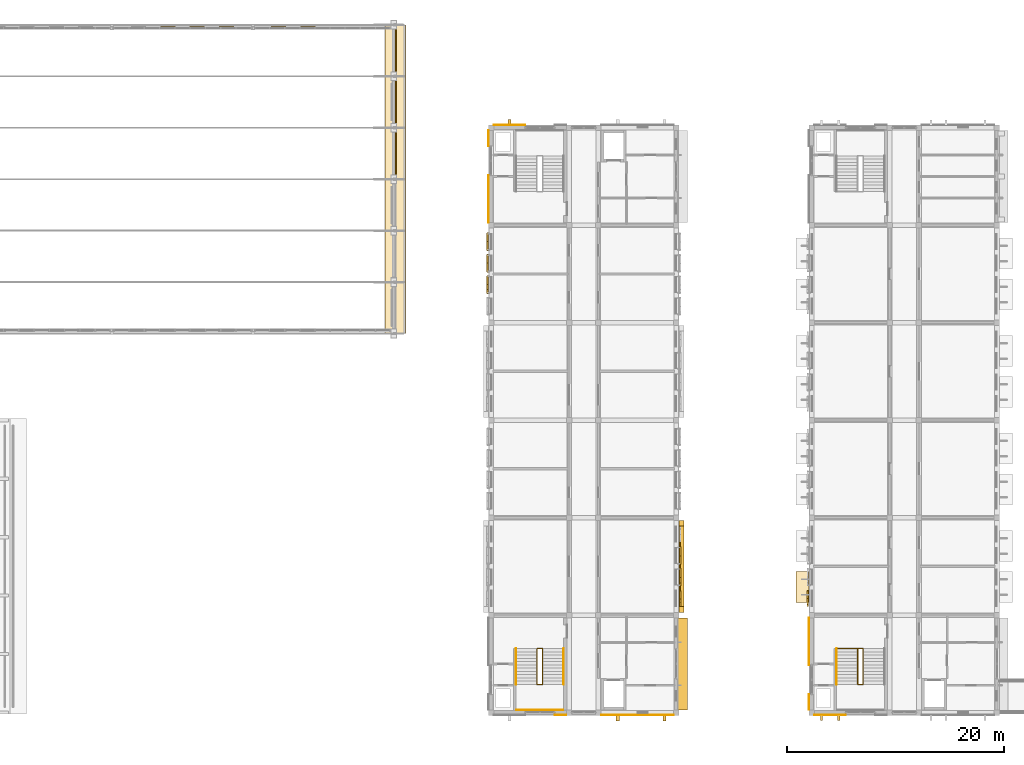
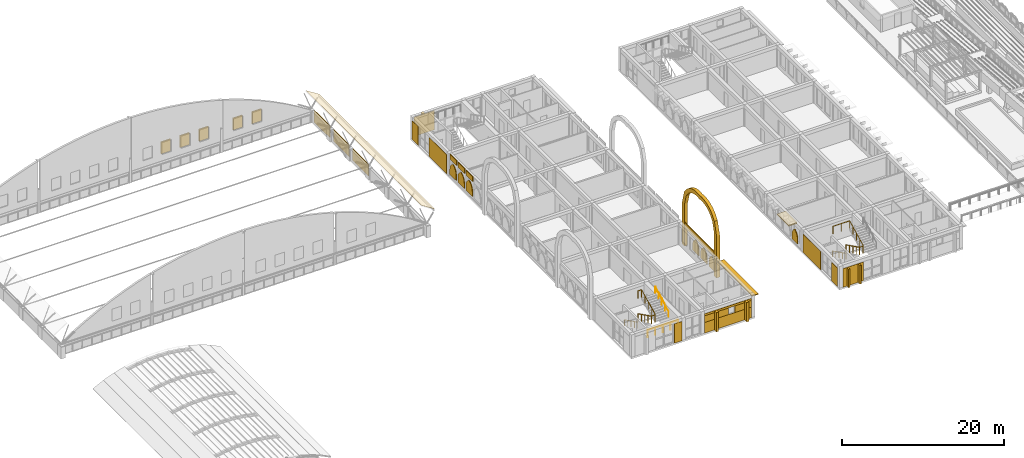
# One storey, part 56 of 65: 26 coverings, 13 shading devices, 6 railings.
"""IFC4 building model written with IfcOpenShell, lengths in metres."""

from ifc_helpers import new_model, si_unit, direction, frame, origin, origin_2d, place, context, subcontext, project, spatial, polyline, rectangle, circle, outline, extrude, material, layer, layer_set, type_object, element, save


model = new_model("IFC4")

# Units and contexts
model_context = context("Model", 3, precision=1e-05, world=origin(), true_north=direction((0.0, 1.0)))
body_context = subcontext(model_context, "Body", "Model", "MODEL_VIEW")
ifc_project = project(units=[si_unit("LENGTHUNIT", "METRE"), si_unit("AREAUNIT", "SQUARE_METRE"), si_unit("VOLUMEUNIT", "CUBIC_METRE"), si_unit("PLANEANGLEUNIT", "RADIAN"), si_unit("MASSUNIT", "GRAM", prefix="KILO")], contexts=[model_context])

# Site, building, storey
site_placement = place(None, origin())
site = spatial("IfcSite", under=ifc_project, at=site_placement, CompositionType="ELEMENT")
building_placement = place(site_placement, origin())
building = spatial("IfcBuilding", under=site, at=building_placement, Name="Elbe Cascade School", CompositionType="ELEMENT")
storey_placement = place(building_placement, frame((0.0, 0.0, 11.699951171875)))
storey = spatial("IfcBuildingStorey", under=building, at=storey_placement, Name="L03", CompositionType="ELEMENT", Elevation=11.699951171875)

# Railings
ifc_material_1 = material(Name="Steel S355J2H, painted", Category="steel")
railing_type_1 = type_object("IfcRailingType", Name="Bar stair guard 1100", PredefinedType="GUARDRAIL", material=ifc_material_1)
railing_1_placement = place(storey_placement, frame((73.25, 11.89990234375, 0.150146484375)))
element("IfcRailing", 1, at=railing_1_placement, inside=storey, type_object=railing_type_1, Name="Stair guard A3.S", PredefinedType="GUARDRAIL", context=body_context, shape_type="SweptSolid", body=[
    extrude(circle(Radius=0.02392578125, at=origin_2d()), frame((0.0, 0.0, 1.09619140625), z_axis=(0.0, -0.894427191, 0.4472135955), x_axis=(1.0, 0.0, 0.0)), (0.0, 0.0, 1.0), 3.689208984375),
    extrude(circle(Radius=0.02392578125, at=origin_2d()), frame((0.0, -3.2998046875, 2.74609375), z_axis=(1.0, 0.0, 0.0), x_axis=(0.0, 1.0, 0.0)), (0.0, 0.0, 1.0), 0.5),
    extrude(circle(Radius=0.02392578125, at=origin_2d()), frame((0.5, -3.2998046875, 2.74609375), z_axis=(0.0, 0.0, 1.0), x_axis=(1.0, 0.0, 0.0)), (0.0, 0.0, 1.0), 0.14990234375),
    extrude(circle(Radius=0.02392578125, at=origin_2d()), frame((0.5, -3.2998046875, 2.89599609375), z_axis=(0.0, 0.894400720042, 0.447266533499), x_axis=(-1.0, 0.0, 0.0)), (0.0, 0.0, 1.0), 3.689453125),
    extrude(circle(Radius=0.02392578125, at=origin_2d()), frame((0.5, 0.0, 4.5458984375), z_axis=(-1.0, 0.0, 0.0), x_axis=(0.0, -1.0, 0.0)), (0.0, 0.0, 1.0), 0.5),
    extrude(circle(Radius=0.02099609375, at=origin_2d()), origin(), (0.0, 0.0, 1.0), 1.072021484375),
    extrude(circle(Radius=0.02099609375, at=origin_2d()), frame((0.0, -0.824951171875, 0.41259765625)), (0.0, 0.0, 1.0), 1.072021484375),
    extrude(circle(Radius=0.02099609375, at=origin_2d()), frame((0.0, -1.64990234375, 0.824951171875)), (0.0, 0.0, 1.0), 1.072021484375),
    extrude(circle(Radius=0.02099609375, at=origin_2d()), frame((0.0, -2.474853515625, 1.2373046875)), (0.0, 0.0, 1.0), 1.072021484375),
    extrude(circle(Radius=0.02099609375, at=origin_2d()), frame((0.0, -3.2998046875, 1.64990234375)), (0.0, 0.0, 1.0), 1.072021484375),
    extrude(circle(Radius=0.02099609375, at=origin_2d()), frame((0.5, -3.2998046875, 1.64990234375)), (0.0, 0.0, 1.0), 1.072021484375),
    extrude(circle(Radius=0.02099609375, at=origin_2d()), frame((0.5, -3.2998046875, 1.7998046875)), (0.0, 0.0, 1.0), 1.072021484375),
    extrude(circle(Radius=0.02099609375, at=origin_2d()), frame((0.5, -2.474853515625, 2.21240234375)), (0.0, 0.0, 1.0), 1.072021484375),
    extrude(circle(Radius=0.02099609375, at=origin_2d()), frame((0.5, -1.64990234375, 2.625)), (0.0, 0.0, 1.0), 1.072021484375),
    extrude(circle(Radius=0.02099609375, at=origin_2d()), frame((0.5, -0.824951171875, 3.037353515625)), (0.0, 0.0, 1.0), 1.072021484375),
    extrude(circle(Radius=0.02099609375, at=origin_2d()), frame((0.5, 0.0, 3.449951171875)), (0.0, 0.0, 1.0), 1.072021484375),
    extrude(circle(Radius=0.02099609375, at=origin_2d()), frame((0.0, 0.0, 3.449951171875)), (0.0, 0.0, 1.0), 1.072021484375),
])
railing_2_placement = place(storey_placement, frame((71.360107421875, 6.239990234375, 1.800048828125)))
element("IfcRailing", 2, at=railing_2_placement, inside=storey, type_object=railing_type_1, Name="Stair guard A3.S", PredefinedType="GUARDRAIL", context=body_context, shape_type="SweptSolid", body=[
    extrude(circle(Radius=0.02392578125, at=origin_2d()), frame((0.0, 0.0, 1.09619140625), z_axis=(1.0, 0.0, 0.0), x_axis=(0.0, 1.0, 0.0)), (0.0, 0.0, 1.0), 4.27978515625),
    extrude(circle(Radius=0.02099609375, at=origin_2d()), origin(), (0.0, 0.0, 1.0), 1.072021484375),
    extrude(circle(Radius=0.02099609375, at=origin_2d()), frame((1.06982421875, 0.0, 0.0)), (0.0, 0.0, 1.0), 1.072021484375),
    extrude(circle(Radius=0.02099609375, at=origin_2d()), frame((2.139892578125, 0.0, 0.0)), (0.0, 0.0, 1.0), 1.072021484375),
    extrude(circle(Radius=0.02099609375, at=origin_2d()), frame((3.2099609375, 0.0, 0.0)), (0.0, 0.0, 1.0), 1.072021484375),
    extrude(circle(Radius=0.02099609375, at=origin_2d()), frame((4.27978515625, 0.0, 0.0)), (0.0, 0.0, 1.0), 1.072021484375),
])
railing_3_placement = place(storey_placement, frame((102.85009765625, 11.89990234375, 0.150146484375)))
element("IfcRailing", 3, at=railing_3_placement, inside=storey, type_object=railing_type_1, Name="Stair guard B3.S", PredefinedType="GUARDRAIL", context=body_context, shape_type="SweptSolid", body=[
    extrude(circle(Radius=0.02392578125, at=origin_2d()), frame((0.0, 0.0, 1.09619140625), z_axis=(0.0, -0.894427191, 0.4472135955), x_axis=(1.0, 0.0, 0.0)), (0.0, 0.0, 1.0), 3.689208984375),
    extrude(circle(Radius=0.02392578125, at=origin_2d()), frame((0.0, -3.2998046875, 2.74609375), z_axis=(1.0, 0.0, 0.0), x_axis=(0.0, 1.0, 0.0)), (0.0, 0.0, 1.0), 0.5),
    extrude(circle(Radius=0.02392578125, at=origin_2d()), frame((0.5, -3.2998046875, 2.74609375), z_axis=(0.0, 0.0, 1.0), x_axis=(1.0, 0.0, 0.0)), (0.0, 0.0, 1.0), 0.14990234375),
    extrude(circle(Radius=0.02392578125, at=origin_2d()), frame((0.5, -3.2998046875, 2.89599609375), z_axis=(0.0, 0.894400720042, 0.447266533499), x_axis=(-1.0, 0.0, 0.0)), (0.0, 0.0, 1.0), 3.689453125),
    extrude(circle(Radius=0.02392578125, at=origin_2d()), frame((0.5, 0.0, 4.5458984375), z_axis=(-1.0, 0.0, 0.0), x_axis=(0.0, -1.0, 0.0)), (0.0, 0.0, 1.0), 2.39013671875),
    extrude(circle(Radius=0.02099609375, at=origin_2d()), origin(), (0.0, 0.0, 1.0), 1.072021484375),
    extrude(circle(Radius=0.02099609375, at=origin_2d()), frame((0.0, -0.824951171875, 0.41259765625)), (0.0, 0.0, 1.0), 1.072021484375),
    extrude(circle(Radius=0.02099609375, at=origin_2d()), frame((0.0, -1.64990234375, 0.824951171875)), (0.0, 0.0, 1.0), 1.072021484375),
    extrude(circle(Radius=0.02099609375, at=origin_2d()), frame((0.0, -2.474853515625, 1.2373046875)), (0.0, 0.0, 1.0), 1.072021484375),
    extrude(circle(Radius=0.02099609375, at=origin_2d()), frame((0.0, -3.2998046875, 1.64990234375)), (0.0, 0.0, 1.0), 1.072021484375),
    extrude(circle(Radius=0.02099609375, at=origin_2d()), frame((0.5, -3.2998046875, 1.64990234375)), (0.0, 0.0, 1.0), 1.072021484375),
    extrude(circle(Radius=0.02099609375, at=origin_2d()), frame((0.5, -3.2998046875, 1.7998046875)), (0.0, 0.0, 1.0), 1.072021484375),
    extrude(circle(Radius=0.02099609375, at=origin_2d()), frame((0.5, -2.474853515625, 2.21240234375)), (0.0, 0.0, 1.0), 1.072021484375),
    extrude(circle(Radius=0.02099609375, at=origin_2d()), frame((0.5, -1.64990234375, 2.625)), (0.0, 0.0, 1.0), 1.072021484375),
    extrude(circle(Radius=0.02099609375, at=origin_2d()), frame((0.5, -0.824951171875, 3.037353515625)), (0.0, 0.0, 1.0), 1.072021484375),
    extrude(circle(Radius=0.02099609375, at=origin_2d()), frame((0.5, 0.0, 3.449951171875)), (0.0, 0.0, 1.0), 1.072021484375),
    extrude(circle(Radius=0.02099609375, at=origin_2d()), frame((-0.695068359375, 0.0, 3.449951171875)), (0.0, 0.0, 1.0), 1.072021484375),
    extrude(circle(Radius=0.02099609375, at=origin_2d()), frame((-1.89013671875, 0.0, 3.449951171875)), (0.0, 0.0, 1.0), 1.072021484375),
])
ifc_material_2 = material(Name="Steel S355J2H, painted", Category="steel")
railing_type_2 = type_object("IfcRailingType", Name="Bar stair handrail 900", PredefinedType="HANDRAIL", material=ifc_material_2)
railing_4_placement = place(storey_placement, frame((71.300048828125, 11.89990234375, 0.150146484375)))
element("IfcRailing", 4, at=railing_4_placement, inside=storey, type_object=railing_type_2, Name="Stair handrail A3.S", PredefinedType="HANDRAIL", context=body_context, shape_type="SweptSolid", body=[
    extrude(circle(Radius=0.02392578125, at=origin_2d()), frame((0.0, 0.0, 0.8759765625), z_axis=(0.0, -0.894427191, 0.4472135955), x_axis=(1.0, 0.0, 0.0)), (0.0, 0.0, 1.0), 3.689208984375),
    extrude(circle(Radius=0.02099609375, at=origin_2d()), origin(), (0.0, 0.0, 1.0), 0.851806640625),
    extrude(circle(Radius=0.02099609375, at=origin_2d()), frame((0.0, -0.824951171875, 0.41259765625)), (0.0, 0.0, 1.0), 0.851806640625),
    extrude(circle(Radius=0.02099609375, at=origin_2d()), frame((0.0, -1.64990234375, 0.824951171875)), (0.0, 0.0, 1.0), 0.851806640625),
    extrude(circle(Radius=0.02099609375, at=origin_2d()), frame((0.0, -2.474853515625, 1.2373046875)), (0.0, 0.0, 1.0), 0.851806640625),
    extrude(circle(Radius=0.02099609375, at=origin_2d()), frame((0.0, -3.2998046875, 1.64990234375)), (0.0, 0.0, 1.0), 0.851806640625),
])
railing_5_placement = place(storey_placement, frame((75.699951171875, 8.60009765625, 1.949951171875)))
element("IfcRailing", 5, at=railing_5_placement, inside=storey, type_object=railing_type_2, Name="Stair handrail A3.S", PredefinedType="HANDRAIL", context=body_context, shape_type="SweptSolid", body=[
    extrude(circle(Radius=0.02392578125, at=origin_2d()), frame((0.0, 0.0, 0.8759765625), z_axis=(0.0, 0.894400720042, 0.447266533499), x_axis=(-1.0, 0.0, 0.0)), (0.0, 0.0, 1.0), 3.689453125),
    extrude(circle(Radius=0.02099609375, at=origin_2d()), origin(), (0.0, 0.0, 1.0), 0.851806640625),
    extrude(circle(Radius=0.02099609375, at=origin_2d()), frame((0.0, 0.824951171875, 0.41259765625)), (0.0, 0.0, 1.0), 0.851806640625),
    extrude(circle(Radius=0.02099609375, at=origin_2d()), frame((0.0, 1.64990234375, 0.8251953125)), (0.0, 0.0, 1.0), 0.851806640625),
    extrude(circle(Radius=0.02099609375, at=origin_2d()), frame((0.0, 2.474853515625, 1.237548828125)), (0.0, 0.0, 1.0), 0.851806640625),
    extrude(circle(Radius=0.02099609375, at=origin_2d()), frame((0.0, 3.2998046875, 1.650146484375)), (0.0, 0.0, 1.0), 0.851806640625),
])
railing_6_placement = place(storey_placement, frame((100.89990234375, 11.89990234375, 0.150146484375)))
element("IfcRailing", 6, at=railing_6_placement, inside=storey, type_object=railing_type_2, Name="Stair handrail B3.S", PredefinedType="HANDRAIL", context=body_context, shape_type="SweptSolid", body=[
    extrude(circle(Radius=0.02392578125, at=origin_2d()), frame((0.0, 0.0, 0.8759765625), z_axis=(0.0, -0.894427191, 0.4472135955), x_axis=(1.0, 0.0, 0.0)), (0.0, 0.0, 1.0), 3.689208984375),
    extrude(circle(Radius=0.02099609375, at=origin_2d()), origin(), (0.0, 0.0, 1.0), 0.851806640625),
    extrude(circle(Radius=0.02099609375, at=origin_2d()), frame((0.0, -0.824951171875, 0.41259765625)), (0.0, 0.0, 1.0), 0.851806640625),
    extrude(circle(Radius=0.02099609375, at=origin_2d()), frame((0.0, -1.64990234375, 0.824951171875)), (0.0, 0.0, 1.0), 0.851806640625),
    extrude(circle(Radius=0.02099609375, at=origin_2d()), frame((0.0, -2.474853515625, 1.2373046875)), (0.0, 0.0, 1.0), 0.851806640625),
    extrude(circle(Radius=0.02099609375, at=origin_2d()), frame((0.0, -3.2998046875, 1.64990234375)), (0.0, 0.0, 1.0), 0.851806640625),
])

# Shading devices
ifc_material_3 = material(Name="Precast concrete C30/37", Category="concrete")
ifc_layer_1 = layer(ifc_material_3, 0.1201171875)
ifc_layer_set_1 = layer_set([ifc_layer_1], Name="Precast concrete C30/37")
shading_device_type_1 = type_object("IfcShadingDeviceType", Name="Bars envelope Chhajja eave, precast concrete, 900 x 120", PredefinedType="USERDEFINED", material=ifc_layer_set_1)
shading_device_1_placement = place(storey_placement, frame((86.669921875, 10.5, 2.72998046875), z_axis=(0.0, 0.0, 1.0), x_axis=(0.0, 1.0, 0.0)))
element("IfcShadingDevice", 7, at=shading_device_1_placement, inside=storey, type_object=shading_device_type_1, Name="Chhajja eave SD2 A.L03.e1", ObjectType="CHHAJJA", PredefinedType="USERDEFINED", context=body_context, shape_type="SweptSolid", body=[
    extrude(rectangle(XDim=8.5, YDim=0.89990234375, at=origin_2d()), origin(), (0.0, 0.0, 1.0), 0.1201171875),
])
ifc_material_4 = material(Name="Precast concrete C40/50", Category="concrete")
ifc_layer_2 = layer(ifc_material_4, 0.10009765625)
ifc_layer_set_2 = layer_set([ifc_layer_2], Name="Precast concrete C40/50")
shading_device_type_2 = type_object("IfcShadingDeviceType", Name="Bars envelope Jali screen 1400 x 1840, pointed arch rise 1200, pierced precast concrete", PredefinedType="USERDEFINED", material=ifc_layer_set_2)
shading_device_2_placement = place(storey_placement, frame((98.199951171875, 15.830078125, 1.239990234375), z_axis=(-1.0, 0.0, 0.0), x_axis=(0.0, 0.17792317593, 0.984044380842)))
element("IfcShadingDevice", 8, at=shading_device_2_placement, inside=storey, type_object=shading_device_type_2, Name="Jali screen SD6 B.L03.w2.1", ObjectType="JALI", PredefinedType="USERDEFINED", context=body_context, shape_type="SweptSolid", body=[
    extrude(outline(polyline([(0.0, 0.0), (0.49123641871346896, 0.0), (0.6927371139660965, 0.05238656010049558), (0.8431090177286255, 0.11426571806572286), (0.9655690388364628, 0.18094347076411482), (1.069333371826684, 0.25124965415180983), (1.1586395539315395, 0.3239218888517511), (1.2368944563687345, 0.3985922842188754), (1.305342743464475, 0.47528389408648153), (1.2680396998115664, 0.5708480999082811), (1.2209300408172035, 0.6684335202305626), (1.1627256638798062, 0.7677768560098606), (1.090106574332417, 0.8697264883115714), (0.9987917966674117, 0.9753045513025852), (0.8795651363477146, 1.0856812090267636), (0.7092096845379191, 1.2055504646156736), (0.24907507099190854, 1.377566035094913), (-0.38060762485458033, 1.491417754848975), (-0.6296826958464888, 0.11385171975406214), (0.0, 0.0)])), origin(), (0.0, 0.0, -1.0), 0.10009765625),
])
ifc_material_5 = material(Name="Precast concrete C40/50", Category="concrete")
ifc_layer_3 = layer(ifc_material_5, 0.10009765625)
ifc_layer_set_3 = layer_set([ifc_layer_3], Name="Precast concrete C40/50")
shading_device_type_3 = type_object("IfcShadingDeviceType", Name="Bars envelope Jali screen 1400 x 1940, pointed arch rise 1200, pierced precast concrete", PredefinedType="USERDEFINED", material=ifc_layer_set_3)
shading_device_3_placement = place(storey_placement, frame((86.5, 15.830078125, 0.60009765625), z_axis=(1.0, 0.0, 0.0), x_axis=(0.0, 1.0, 0.0)))
element("IfcShadingDevice", 9, at=shading_device_3_placement, inside=storey, type_object=shading_device_type_3, Name="Jali screen SD5 A.L03.e2.1", ObjectType="JALI", PredefinedType="USERDEFINED", context=body_context, shape_type="SweptSolid", body=[
    extrude(outline(polyline([(0.0, 0.0), (1.39990234375, 0.0), (1.39990234375, 0.739990234375), (1.3125, 1.22314453125), (1.224853515625, 1.412109375), (1.137451171875, 1.549072265625), (1.0498046875, 1.657958984375), (0.96240234375, 1.747314453125), (0.875, 1.822509765625), (0.787353515625, 1.885986328125), (0.699951171875, 1.93994140625), (0.6123046875, 1.885986328125), (0.52490234375, 1.822509765625), (0.4375, 1.747314453125), (0.349853515625, 1.657958984375), (0.262451171875, 1.549072265625), (0.1748046875, 1.412109375), (0.08740234375, 1.22314453125), (0.0, 0.739990234375), (0.0, 0.0)])), origin(), (0.0, 0.0, -1.0), 0.10009765625),
])
ifc_material_6 = material(Name="Precast concrete C40/50", Category="concrete")
ifc_layer_4 = layer(ifc_material_6, 0.10009765625)
ifc_layer_set_4 = layer_set([ifc_layer_4], Name="Precast concrete C40/50")
shading_device_type_4 = type_object("IfcShadingDeviceType", Name="Bars envelope Jali screen 1600 x 1940, pointed arch rise 1200, pierced precast concrete", PredefinedType="USERDEFINED", material=ifc_layer_set_4)
for number, where, z_axis, x_axis, name in (
    (10, (68.60009765625, 44.7099609375, 1.340087890625), (-1.0, 0.0, 0.0), (0.0, 0.196300278283, 0.98054382908), "Jali screen SD4 A.L03.w5.2"),
    (11, (68.60009765625, 46.68994140625, 1.340087890625), (-1.0, 0.0, 0.0), (0.0, 0.196300278283, 0.98054382908), "Jali screen SD4 A.L03.w5.3"),
):
    element("IfcShadingDevice", number, at=place(storey_placement, frame(where, z_axis=z_axis, x_axis=x_axis)), inside=storey, type_object=shading_device_type_4, Name=name, ObjectType="JALI", PredefinedType="USERDEFINED", context=body_context, shape_type="SweptSolid", body=[
        extrude(outline(polyline([(0.0, 0.0), (0.509921112317134, 0.0), (0.7186409460062186, 0.06005009918221829), (0.8733064327485943, 0.13117061016154), (0.9982874871653163, 0.20823380534668107), (1.102872417131342, 0.2891312241218946), (1.1919448840573539, 0.37338315020117196), (1.268281725197354, 0.45993570394643946), (1.3336545243794973, 0.5489321924158467), (1.3075801207519657, 0.6562359822289878), (1.270445825421322, 0.7655049255997259), (1.220671754049922, 0.877553277802997), (1.155289369893253, 0.9924773561437888), (1.0696067110311427, 1.1117144392411962), (0.9542396198433787, 1.2368942065444228), (0.7847223319636507, 1.37266560447821), (0.31409961520112845, 1.5689658827607584), (-0.41149324269448634, 1.7142261716949392), (-0.7255928578956148, 0.1452602889341807), (0.0, 0.0)])), origin(), (0.0, 0.0, -1.0), 0.10009765625),
    ])
shading_device_4_placement = place(storey_placement, frame((68.60009765625, 48.669921875, 1.340087890625), z_axis=(-1.0, 0.0, 0.0), x_axis=(0.0, 0.196300278283, 0.98054382908)))
element("IfcShadingDevice", 12, at=shading_device_4_placement, inside=storey, type_object=shading_device_type_4, Name="Jali screen SD4 A.L03.w5.4", ObjectType="JALI", PredefinedType="USERDEFINED", context=body_context, shape_type="SweptSolid", body=[
    extrude(outline(polyline([(0.0, 0.0), (0.509921112317134, 0.0), (0.7186888708788461, 0.0602894897654897), (0.8733064327485943, 0.13117061016154), (0.9982874871653163, 0.20823380534668107), (1.102872417131342, 0.2891312241218946), (1.1919448840573539, 0.37338315020117196), (1.2683296500699814, 0.46017509452971084), (1.3336545243794973, 0.5489321924158467), (1.3075801207519657, 0.6562359822289878), (1.270445825421322, 0.7655049255997259), (1.220671754049922, 0.877553277802997), (1.1553372947658807, 0.9927167467270602), (1.0696067110311427, 1.1117144392411962), (0.9542396198433787, 1.2368942065444228), (0.7847223319636507, 1.37266560447821), (0.31409961520112845, 1.5689658827607584), (-0.41149324269448634, 1.7142261716949392), (-0.7255928578956148, 0.1452602889341807), (0.0, 0.0)])), origin(), (0.0, 0.0, -1.0), 0.10009765625),
])
for number, where, z_axis, x_axis, name in (
    (13, (86.5, 17.7099609375, 0.60009765625), (1.0, 0.0, 0.0), (0.0, 1.0, 0.0), "Jali screen SD4 A.L03.e2.2"),
    (14, (86.5, 19.68994140625, 0.60009765625), (1.0, 0.0, 0.0), (0.0, 1.0, 0.0), "Jali screen SD4 A.L03.e2.3"),
):
    element("IfcShadingDevice", number, at=place(storey_placement, frame(where, z_axis=z_axis, x_axis=x_axis)), inside=storey, type_object=shading_device_type_4, Name=name, ObjectType="JALI", PredefinedType="USERDEFINED", context=body_context, shape_type="SweptSolid", body=[
        extrude(outline(polyline([(0.0, 0.0), (1.60009765625, 0.0), (1.60009765625, 0.739990234375), (1.5, 1.239990234375), (1.400146484375, 1.432861328125), (1.300048828125, 1.570556640625), (1.199951171875, 1.677978515625), (1.10009765625, 1.7646484375), (1.0, 1.83544921875), (0.900146484375, 1.893310546875), (0.800048828125, 1.93994140625), (0.699951171875, 1.893310546875), (0.60009765625, 1.83544921875), (0.5, 1.7646484375), (0.400146484375, 1.677978515625), (0.300048828125, 1.570556640625), (0.199951171875, 1.432861328125), (0.10009765625, 1.239990234375), (0.0, 0.739990234375), (0.0, 0.0)])), origin(), (0.0, 0.0, -1.0), 0.10009765625),
    ])

# Coverings
ifc_material_7 = material(Name="Precast concrete C40/50", Category="concrete")
covering_type_1 = type_object("IfcCoveringType", Name="Bars envelope Precast concrete gable fin, 200 wide, 450 deep", PredefinedType="CLADDING", material=ifc_material_7)
for number, where, z_axis, x_axis, name in (
    (15, (99.5, 5.514892578125, 0.0), (0.0, 0.0, 1.0), (1.0, 0.0, 0.0), "Fin CV57 B.L03.s.1"),
    (16, (101.10009765625, 5.514892578125, 0.0), (0.0, 0.0, 1.0), (1.0, 0.0, 0.0), "Fin CV57 B.L03.s.2"),
):
    element("IfcCovering", number, at=place(storey_placement, frame(where, z_axis=z_axis, x_axis=x_axis)), inside=storey, type_object=covering_type_1, Name=name, PredefinedType="CLADDING", context=body_context, shape_type="SweptSolid", body=[
        extrude(rectangle(XDim=0.199951171875, YDim=0.449951171875, at=origin_2d()), origin(), (0.0, 0.0, 1.0), 2.800048828125),
    ])
ifc_material_8 = material(Name="Precast concrete C40/50", Category="concrete")
covering_type_2 = type_object("IfcCoveringType", Name="Bars envelope Precast concrete gable fin, 300 wide, 500 deep", PredefinedType="CLADDING", material=ifc_material_8)
for number, where, z_axis, x_axis, name in (
    (17, (80.699951171875, 5.489990234375, 0.0), (0.0, 0.0, 1.0), (1.0, 0.0, 0.0), "Fin CV50 A.L03.s.2"),
    (18, (85.0, 5.489990234375, 0.0), (0.0, 0.0, 1.0), (1.0, 0.0, 0.0), "Fin CV50 A.L03.s.3"),
    (19, (70.699951171875, 60.510009765625, 0.0), (0.0, 0.0, 1.0), (1.0, 0.0, 0.0), "Fin CV50 A.L03.n.1"),
):
    element("IfcCovering", number, at=place(storey_placement, frame(where, z_axis=z_axis, x_axis=x_axis)), inside=storey, type_object=covering_type_2, Name=name, PredefinedType="CLADDING", context=body_context, shape_type="SweptSolid", body=[
        extrude(rectangle(XDim=0.300048828125, YDim=0.5, at=origin_2d()), origin(), (0.0, 0.0, 1.0), 2.89990234375),
    ])
ifc_material_9 = material(Name="Sandstone - red", Category="masonry")
covering_type_3 = type_object("IfcCoveringType", Name="Bars envelope Sandstone arch frame single, 8500 wide, 450 deep", PredefinedType="CLADDING", material=ifc_material_9)
covering_1_placement = place(storey_placement, frame((86.800048828125, 15.830078125, 0.0), z_axis=(1.0, 0.0, 0.0), x_axis=(0.0, 0.0, 1.0)))
element("IfcCovering", 20, at=covering_1_placement, inside=storey, type_object=covering_type_3, Name="Arch frame CV52 A.L03.e2", PredefinedType="CLADDING", context=body_context, shape_type="SweptSolid", body=[
    extrude(outline(polyline([(0.0, 0.0), (6.300048828125, 0.0), (7.91650390625, -0.458740234375), (8.4921875, -0.91748046875), (8.86474609375, -1.376220703125), (9.11572265625, -1.8349609375), (9.276123046875, -2.293701171875), (9.3603515625, -2.75244140625), (9.374755859375, -3.211181640625), (9.320068359375, -3.669921875), (9.374755859375, -4.128662109375), (9.3603515625, -4.58740234375), (9.276123046875, -5.046142578125), (9.11572265625, -5.5048828125), (8.86474609375, -5.963623046875), (8.4921875, -6.42236328125), (7.91650390625, -6.881103515625), (6.300048828125, -7.33984375), (0.0, -7.33984375), (0.0, -7.919921875), (6.300048828125, -7.919921875), (8.1962890625, -7.388671875), (8.874267578125, -6.857421875), (9.3154296875, -6.326171875), (9.615966796875, -5.794921875), (9.81201171875, -5.263671875), (9.92041015625, -4.732421875), (9.94921875, -4.201171875), (9.900146484375, -3.669921875), (9.94921875, -3.138671875), (9.92041015625, -2.607421875), (9.81201171875, -2.076171875), (9.615966796875, -1.544921875), (9.3154296875, -1.013671875), (8.874267578125, -0.482421875), (8.1962890625, 0.048828125), (6.300048828125, 0.580078125), (0.0, 0.580078125), (0.0, 0.0)])), origin(), (0.0, 0.0, -1.0), 0.449951171875),
])
ifc_material_10 = material(Name="Sandstone - red", Category="masonry")
covering_type_4 = type_object("IfcCoveringType", Name="Bars envelope Sandstone chhajja slab, 1200 deep", PredefinedType="CLADDING", material=ifc_material_10)
covering_2_placement = place(storey_placement, frame((97.75, 17.607421875, 3.419921875), z_axis=(0.0, 0.0, 1.0), x_axis=(0.0, 1.0, 0.0)))
element("IfcCovering", 21, at=covering_2_placement, inside=storey, type_object=covering_type_4, Name="Chhajja slab CV61 B.L03.w1.1", PredefinedType="CLADDING", context=body_context, shape_type="SweptSolid", body=[
    extrude(rectangle(XDim=2.85498046875, YDim=1.199951171875, at=origin_2d()), origin(), (0.0, 0.0, 1.0), 0.179931640625),
])
ifc_material_11 = material(Name="Sandstone - red", Category="masonry")
ifc_layer_5 = layer(ifc_material_11, 0.0400390625)
ifc_layer_set_5 = layer_set([ifc_layer_5], Name="Sandstone - red")
covering_type_5 = type_object("IfcCoveringType", Name="Bars envelope Sandstone cladding, red, 40 mm", PredefinedType="CLADDING", material=ifc_layer_set_5)
covering_3_placement = place(storey_placement, frame((68.760009765625, 53.429931640625, 0.0), z_axis=(0.0, 0.0, 1.0), x_axis=(0.0, 1.0, 0.0)))
element("IfcCovering", 22, at=covering_3_placement, inside=storey, type_object=covering_type_5, Name="Sandstone cladding CV48 A.L03.w.6a.1", PredefinedType="CLADDING", context=body_context, shape_type="SweptSolid", body=[
    extrude(rectangle(XDim=4.360107421875, YDim=0.0400390625, at=origin_2d()), origin(), (0.0, 0.0, 1.0), 2.85009765625),
])
covering_4_placement = place(storey_placement, frame((68.760009765625, 59.030029296875, 0.0), z_axis=(0.0, 0.0, 1.0), x_axis=(0.0, 1.0, 0.0)))
element("IfcCovering", 23, at=covering_4_placement, inside=storey, type_object=covering_type_5, Name="Sandstone cladding CV48 A.L03.w.6b.1", PredefinedType="CLADDING", context=body_context, shape_type="SweptSolid", body=[
    extrude(rectangle(XDim=1.43994140625, YDim=0.0400390625, at=origin_2d()), origin(), (0.0, 0.0, 1.0), 2.85009765625),
])
covering_5_placement = place(storey_placement, frame((75.39990234375, 5.760009765625, 0.0), z_axis=(0.0, 0.0, 1.0), x_axis=(1.0, 0.0, 0.0)))
element("IfcCovering", 24, at=covering_5_placement, inside=storey, type_object=covering_type_5, Name="Sandstone cladding CV48 A.L03.s.1b.1", PredefinedType="CLADDING", context=body_context, shape_type="SweptSolid", body=[
    extrude(rectangle(XDim=1.10009765625, YDim=0.0400390625, at=origin_2d()), origin(), (0.0, 0.0, 1.0), 2.89990234375),
])
covering_6_placement = place(storey_placement, frame((82.5, 5.760009765625, 0.0), z_axis=(0.0, 0.0, 1.0), x_axis=(1.0, 0.0, 0.0)))
element("IfcCovering", 25, at=covering_6_placement, inside=storey, type_object=covering_type_5, Name="Sandstone cladding CV48 A.L03.s.3.1", PredefinedType="CLADDING", context=body_context, shape_type="SweptSolid", body=[
    extrude(rectangle(XDim=6.699951171875, YDim=0.0400390625, at=origin_2d()), origin(), (0.0, 0.0, 1.0), 1.60009765625),
])
covering_7_placement = place(storey_placement, frame((80.85009765625, 5.760009765625, 1.60009765625), z_axis=(0.0, 0.0, 1.0), x_axis=(1.0, 0.0, 0.0)))
element("IfcCovering", 26, at=covering_7_placement, inside=storey, type_object=covering_type_5, Name="Sandstone cladding CV48 A.L03.s.3.2", PredefinedType="CLADDING", context=body_context, shape_type="SweptSolid", body=[
    extrude(rectangle(XDim=3.39990234375, YDim=0.0400390625, at=origin_2d()), origin(), (0.0, 0.0, 1.0), 1.0),
])
covering_8_placement = place(storey_placement, frame((84.64990234375, 5.760009765625, 1.60009765625), z_axis=(0.0, 0.0, 1.0), x_axis=(1.0, 0.0, 0.0)))
element("IfcCovering", 27, at=covering_8_placement, inside=storey, type_object=covering_type_5, Name="Sandstone cladding CV48 A.L03.s.3.3", PredefinedType="CLADDING", context=body_context, shape_type="SweptSolid", body=[
    extrude(rectangle(XDim=2.39990234375, YDim=0.0400390625, at=origin_2d()), origin(), (0.0, 0.0, 1.0), 1.0),
])
covering_9_placement = place(storey_placement, frame((82.5, 5.760009765625, 2.60009765625), z_axis=(0.0, 0.0, 1.0), x_axis=(1.0, 0.0, 0.0)))
element("IfcCovering", 28, at=covering_9_placement, inside=storey, type_object=covering_type_5, Name="Sandstone cladding CV48 A.L03.s.3.4", PredefinedType="CLADDING", context=body_context, shape_type="SweptSolid", body=[
    extrude(rectangle(XDim=6.699951171875, YDim=0.0400390625, at=origin_2d()), origin(), (0.0, 0.0, 1.0), 0.300048828125),
])
covering_10_placement = place(storey_placement, frame((70.699951171875, 60.239990234375, 0.0), z_axis=(0.0, 0.0, 1.0), x_axis=(1.0, 0.0, 0.0)))
element("IfcCovering", 29, at=covering_10_placement, inside=storey, type_object=covering_type_5, Name="Sandstone cladding CV48 A.L03.n.1a.1", PredefinedType="CLADDING", context=body_context, shape_type="SweptSolid", body=[
    extrude(rectangle(XDim=2.89990234375, YDim=0.0400390625, at=origin_2d()), origin(), (0.0, 0.0, 1.0), 2.89990234375),
])
covering_11_placement = place(storey_placement, frame((98.360107421875, 6.969970703125, 0.0), z_axis=(0.0, 0.0, 1.0), x_axis=(0.0, 1.0, 0.0)))
element("IfcCovering", 30, at=covering_11_placement, inside=storey, type_object=covering_type_5, Name="Sandstone cladding CV48 B.L03.w.1a.1", PredefinedType="CLADDING", context=body_context, shape_type="SweptSolid", body=[
    extrude(rectangle(XDim=1.43994140625, YDim=0.0400390625, at=origin_2d()), origin(), (0.0, 0.0, 1.0), 2.75),
])
covering_12_placement = place(storey_placement, frame((98.360107421875, 12.570068359375, 0.0), z_axis=(0.0, 0.0, 1.0), x_axis=(0.0, 1.0, 0.0)))
element("IfcCovering", 31, at=covering_12_placement, inside=storey, type_object=covering_type_5, Name="Sandstone cladding CV48 B.L03.w.1b.1", PredefinedType="CLADDING", context=body_context, shape_type="SweptSolid", body=[
    extrude(rectangle(XDim=4.360107421875, YDim=0.0400390625, at=origin_2d()), origin(), (0.0, 0.0, 1.0), 2.75),
])
covering_13_placement = place(storey_placement, frame((100.300048828125, 5.760009765625, 0.0), z_axis=(0.0, 0.0, 1.0), x_axis=(1.0, 0.0, 0.0)))
element("IfcCovering", 32, at=covering_13_placement, inside=storey, type_object=covering_type_5, Name="Sandstone cladding CV48 B.L03.s.1a.1", PredefinedType="CLADDING", context=body_context, shape_type="SweptSolid", body=[
    extrude(rectangle(XDim=2.89990234375, YDim=0.0400390625, at=origin_2d()), origin(), (0.0, 0.0, 1.0), 2.800048828125),
])
ifc_material_12 = material(Name="Sandstone - red", Category="masonry")
covering_type_6 = type_object("IfcCoveringType", Name="Bars envelope Sandstone spandrel band, 120 deep", PredefinedType="CLADDING", material=ifc_material_12)
for number, where, z_axis, x_axis, name in (
    (33, (68.68994140625, 45.510009765625, 2.85009765625), (0.0, 0.0, 1.0), (0.0, 1.0, 0.0), "Spandrel band CV53 A.L03.w4.2"),
    (34, (68.68994140625, 47.489990234375, 2.85009765625), (0.0, 0.0, 1.0), (0.0, 1.0, 0.0), "Spandrel band CV53 A.L03.w4.3"),
    (35, (68.68994140625, 49.469970703125, 2.85009765625), (0.0, 0.0, 1.0), (0.0, 1.0, 0.0), "Spandrel band CV53 A.L03.w4.4"),
):
    element("IfcCovering", number, at=place(storey_placement, frame(where, z_axis=z_axis, x_axis=x_axis)), inside=storey, type_object=covering_type_6, Name=name, PredefinedType="CLADDING", context=body_context, shape_type="SweptSolid", body=[
        extrude(rectangle(XDim=1.639892578125, YDim=0.1201171875, at=origin_2d()), origin(), (0.0, 0.0, 1.0), 0.75),
    ])
covering_14_placement = place(storey_placement, frame((86.409912109375, 19.5, 2.85009765625), z_axis=(0.0, 0.0, 1.0), x_axis=(0.0, 1.0, 0.0)))
element("IfcCovering", 36, at=covering_14_placement, inside=storey, type_object=covering_type_6, Name="Spandrel band CV53 A.L03.e1.1", PredefinedType="CLADDING", context=body_context, shape_type="SweptSolid", body=[
    extrude(rectangle(XDim=7.340087890625, YDim=0.1201171875, at=origin_2d()), origin(), (0.0, 0.0, 1.0), 0.75),
])
ifc_material_13 = material(Name="Brick masonry - red clinker", Category="masonry")
ifc_layer_6 = layer(ifc_material_13, 0.10009765625)
ifc_layer_set_6 = layer_set([ifc_layer_6], Name="Brick masonry - red clinker")
covering_type_7 = type_object("IfcCoveringType", Name="Hall brick cladding top course 1750", PredefinedType="CLADDING", material=ifc_layer_set_6)
for number, where, z_axis, x_axis, name in (
    (37, (60.199951171875, 57.625, 0.0), (0.0, 0.0, 1.0), (1.0, 0.0, 0.0), "Brick cladding E4"),
    (38, (60.199951171875, 62.375, 0.0), (0.0, 0.0, 1.0), (1.0, 0.0, 0.0), "Brick cladding E5"),
    (39, (60.199951171875, 67.125, 0.0), (0.0, 0.0, 1.0), (1.0, 0.0, 0.0), "Brick cladding E6"),
):
    element("IfcCovering", number, at=place(storey_placement, frame(where, z_axis=z_axis, x_axis=x_axis)), inside=storey, type_object=covering_type_7, Name=name, PredefinedType="CLADDING", context=body_context, shape_type="SweptSolid", body=[
        extrude(rectangle(XDim=0.10009765625, YDim=3.85009765625, at=origin_2d()), origin(), (0.0, 0.0, 1.0), 1.75),
    ])

# Shading devices
ifc_material_14 = material(Name="Precast concrete - pierced screen C30/37", Category="concrete")
shading_device_type_5 = type_object("IfcShadingDeviceType", Name="Hall jali screen 1350x1800 gable window", PredefinedType="USERDEFINED", material=ifc_material_14)
for number, where, z_axis, x_axis, name in (
    (40, (39.14990234375, 69.2900390625, 2.7001953125), (0.0, 0.0, 1.0), (1.0, 0.0, 0.0), "Gable jali N3.2"),
    (41, (41.85009765625, 69.2900390625, 2.7001953125), (0.0, 0.0, 1.0), (1.0, 0.0, 0.0), "Gable jali N3.3"),
    (42, (44.550048828125, 69.2900390625, 2.7001953125), (0.0, 0.0, 1.0), (1.0, 0.0, 0.0), "Gable jali N3.4"),
    (43, (49.375, 69.2900390625, 2.7001953125), (0.0, 0.0, 1.0), (1.0, 0.0, 0.0), "Gable jali N4.1"),
    (44, (52.074951171875, 69.2900390625, 2.7001953125), (0.0, 0.0, 1.0), (1.0, 0.0, 0.0), "Gable jali N4.2"),
):
    element("IfcShadingDevice", number, at=place(storey_placement, frame(where, z_axis=z_axis, x_axis=x_axis)), inside=storey, type_object=shading_device_type_5, Name=name, ObjectType="JALI", PredefinedType="USERDEFINED", context=body_context, shape_type="SweptSolid", body=[
        extrude(rectangle(XDim=1.35009765625, YDim=0.1201171875, at=origin_2d()), origin(), (0.0, 0.0, 1.0), 1.800048828125),
    ])

# Covering
ifc_material_15 = material(Name="Standing seam roofing - zinc")
ifc_layer_7 = layer(ifc_material_15, 0.030029296875)
ifc_layer_set_7 = layer_set([ifc_layer_7], Name="Standing seam roofing - zinc")
covering_type_8 = type_object("IfcCoveringType", Name="Hall roofing", PredefinedType="ROOFING", material=ifc_layer_set_7)
covering_15_placement = place(storey_placement, frame((59.219482421875, 41.0, 4.8427734375), z_axis=(0.542225940542, 0.0, 0.840232723359), x_axis=(0.840232723359, 0.0, -0.542225940542)))
element("IfcCovering", 45, at=covering_15_placement, inside=storey, type_object=covering_type_8, Name="Roofing 28", PredefinedType="ROOFING", context=body_context, shape_type="SweptSolid", body=[
    extrude(outline(polyline([(0.0, 0.0), (2.3012597536898762, 0.0), (2.3012597536898762, 28.5), (0.0, 28.5), (0.0, 0.0)])), origin(), (0.0, 0.0, -1.0), 0.030029296875),
])

save(model, "model.ifc")
